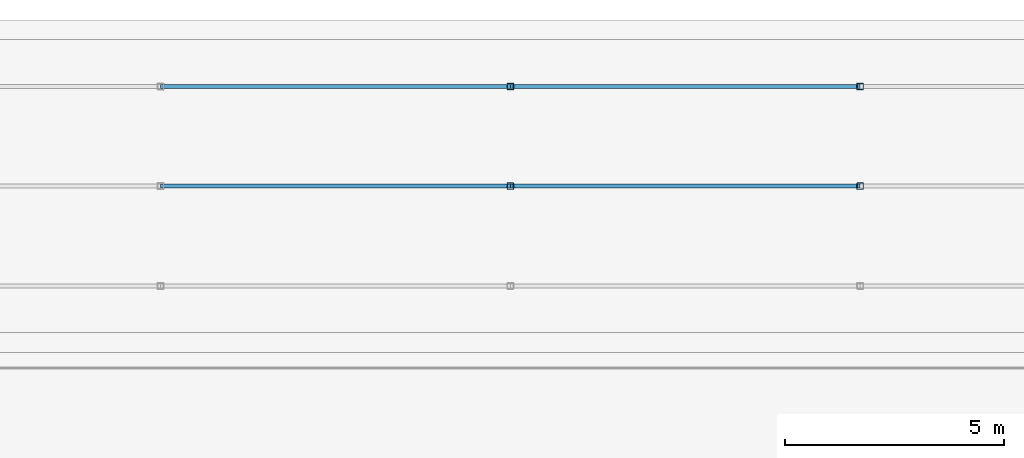
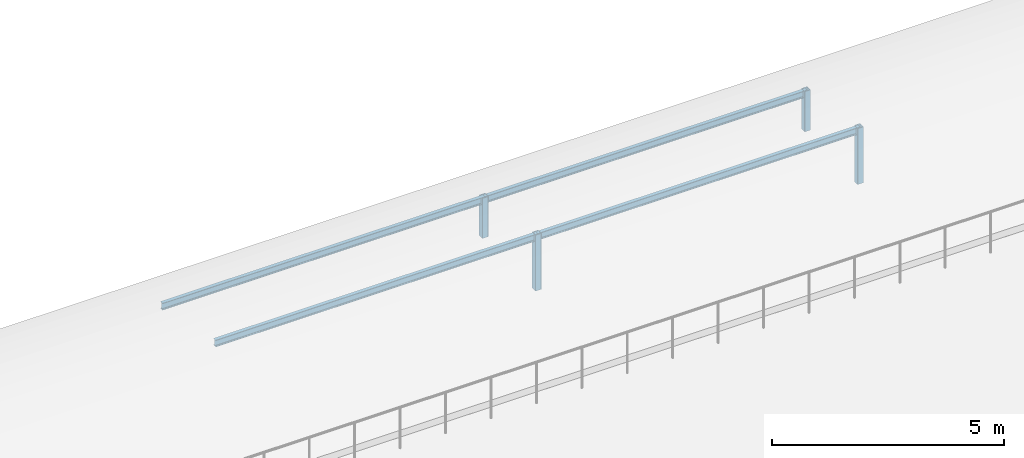
# One storey, part 23 of 46: 8 members.
"""IFC4 building model written with IfcOpenShell, lengths in metres."""

import ifcopenshell
import ifcopenshell.guid

model = None  # the IFC model being written
_history = None  # IfcOwnerHistory: only IFC2X3 demands one
_inside = {}  # id of a spatial element -> (the spatial element, [elements in it])
_under = {}  # id of a project, library or spatial element -> (it, [spatial elements below it])
_declared = {}  # id of a project -> (the project, [libraries it declares])
_typed = {}  # id of a type object -> (the type object, [elements of that type])
_made_of = {}  # id of a material, layer set ... -> (it, [elements and type objects made of it])


def new_model(schema):
    """Start an empty IFC model of exactly this schema.

    Asked for "IFC4X3", IfcOpenShell would pick the latest addendum, in which some entities
    have other attributes; the version numbers below select the first issue.
    IFC2X3 requires an IfcOwnerHistory on every rooted entity: one is made here for all.
    """
    global model, _history
    if schema == "IFC4X3":
        model = ifcopenshell.file(schema_version=(4, 3, 0, 0))
    else:
        model = ifcopenshell.file(schema=schema)
    _inside.clear()
    _under.clear()
    _declared.clear()
    _typed.clear()
    _made_of.clear()
    _history = None
    if model.schema == "IFC2X3":
        org = make("IfcOrganization", Name="unknown")
        user = make(
            "IfcPersonAndOrganization",
            ThePerson=make("IfcPerson", FamilyName="unknown"),
            TheOrganization=org,
        )
        app = make(
            "IfcApplication",
            ApplicationDeveloper=org,
            Version="unknown",
            ApplicationFullName="unknown",
            ApplicationIdentifier="unknown",
        )
        _history = make(
            "IfcOwnerHistory",
            OwningUser=user,
            OwningApplication=app,
            ChangeAction="ADDED",
            CreationDate=0,
        )
    return model


def make(cls, **values):
    """One entity of the class cls with the attributes given. An attribute that is None is left unset."""
    return model.create_entity(
        cls, **{name: value for name, value in values.items() if value is not None}
    )


def rooted(cls, **values):
    """An entity with a GlobalId (a new one), such as an element, a storey or a relation."""
    return make(cls, GlobalId=ifcopenshell.guid.new(), OwnerHistory=_history, **values)


def si_unit(unit_type, name, prefix=None):
    """IfcSIUnit, for example si_unit("LENGTHUNIT", "METRE", prefix="MILLI")."""
    return make("IfcSIUnit", UnitType=unit_type, Prefix=prefix, Name=name)


def assignment(units):
    """IfcUnitAssignment: the units of a project."""
    return None if units is None else make("IfcUnitAssignment", Units=units)


def point(xyz):
    """IfcCartesianPoint."""
    return None if xyz is None else make("IfcCartesianPoint", Coordinates=xyz)


def direction(xyz):
    """IfcDirection."""
    return None if xyz is None else make("IfcDirection", DirectionRatios=xyz)


def frame(location, z_axis=None, x_axis=None):
    """IfcAxis2Placement3D, a coordinate frame: its origin and axes. An axis left out is left unset."""
    return make(
        "IfcAxis2Placement3D",
        Location=point(location),
        Axis=direction(z_axis),
        RefDirection=direction(x_axis),
    )


def frame_2d(location, x_axis=None):
    """IfcAxis2Placement2D, a coordinate frame in the plane: its origin and x axis."""
    return make(
        "IfcAxis2Placement2D", Location=point(location), RefDirection=direction(x_axis)
    )


def origin():
    """The frame at (0, 0, 0) with its axes left unset."""
    return frame((0.0, 0.0, 0.0))


def origin_2d():
    """The frame at (0, 0) in the plane with its x axis left unset."""
    return frame_2d((0.0, 0.0))


def place(relative_to, where):
    """IfcLocalPlacement: puts the frame where relative to a parent placement (None: the world)."""
    return make(
        "IfcLocalPlacement", PlacementRelTo=relative_to, RelativePlacement=where
    )


def context(
    kind, dimensions, precision=None, world=None, true_north=None, identifier=None
):
    """IfcGeometricRepresentationContext, for example the 3D "Model" context."""
    return make(
        "IfcGeometricRepresentationContext",
        ContextIdentifier=identifier,
        ContextType=kind,
        CoordinateSpaceDimension=dimensions,
        Precision=precision,
        WorldCoordinateSystem=world,
        TrueNorth=true_north,
    )


def subcontext(parent, identifier, kind, view, scale=None):
    """IfcGeometricRepresentationSubContext, for example "Body" below "Model"."""
    return make(
        "IfcGeometricRepresentationSubContext",
        ContextIdentifier=identifier,
        ContextType=kind,
        ParentContext=parent,
        TargetScale=scale,
        TargetView=view,
    )


def project(units=None, contexts=None):
    """IfcProject with its units and contexts."""
    return rooted(
        "IfcProject",
        Name="project",
        RepresentationContexts=contexts,
        UnitsInContext=assignment(units),
    )


def spatial(cls, under=None, at=None, **own):
    """A site, building, storey or space (cls), placed at a placement, below another one or the project."""
    s = rooted(cls, ObjectPlacement=at, **own)
    if under is not None:
        _under.setdefault(under.id(), (under, []))[1].append(s)
    return s


def profile(cls, at=None, kind="AREA", **sizes):
    """A parametric profile (cls). Its sizes go by their IFC names, for example OverallWidth=200.0."""
    return make(cls, ProfileType=kind, Position=at, **sizes)


def hollow_rectangle(**sizes):
    """IfcRectangleHollowProfileDef."""
    return profile("IfcRectangleHollowProfileDef", **sizes)


def i_section(**sizes):
    """IfcIShapeProfileDef."""
    return profile("IfcIShapeProfileDef", **sizes)


def extrude(swept, where, along, depth):
    """IfcExtrudedAreaSolid: the profile swept, set in the frame where, extruded along a direction by depth."""
    return make(
        "IfcExtrudedAreaSolid",
        SweptArea=swept,
        Position=where,
        ExtrudedDirection=direction(along),
        Depth=depth,
    )


def shape(context_of_items, identifier, shape_type, items):
    """IfcShapeRepresentation: the items that make up one representation, for example the "Body"."""
    return make(
        "IfcShapeRepresentation",
        ContextOfItems=context_of_items,
        RepresentationIdentifier=identifier,
        RepresentationType=shape_type,
        Items=items,
    )


def material(Name=None, Category=None):
    """IfcMaterial."""
    return make("IfcMaterial", Name=Name, Category=Category)


def material_profile(
    of_material, cross_section, Name=None, Category=None, Priority=None
):
    """IfcMaterialProfile: a cross section and its material."""
    return make(
        "IfcMaterialProfile",
        Name=Name,
        Material=of_material,
        Profile=cross_section,
        Priority=Priority,
        Category=Category,
    )


def profile_set(profiles, Name=None, composite=None):
    """IfcMaterialProfileSet."""
    return make(
        "IfcMaterialProfileSet",
        Name=Name,
        MaterialProfiles=profiles,
        CompositeProfile=composite,
    )


def made_of(thing, what):
    """Note that an element or type object is made of a material, layer set ...; save() writes the relation."""
    if what is not None:
        _made_of.setdefault(what.id(), (what, []))[1].append(thing)
    return thing


def type_object(cls, material=None, **own):
    """A type object (cls), such as IfcWallType, which elements share."""
    return made_of(rooted(cls, **own), material)


def element(
    cls,
    number,
    at=None,
    inside=None,
    cuts=None,
    type_object=None,
    material=None,
    context=None,
    identifier="Body",
    shape_type=None,
    held_by="IfcProductDefinitionShape",
    body=None,
    shapes=None,
    **own,
):
    """One element of the class cls, such as IfcWall. Its Tag is "e" and its number.

    at: its placement. inside: the storey or other place that contains it. cuts: it is an
    opening in that element (IfcRelVoidsElement). A single representation is given by context,
    identifier, shape_type and body (its items); several are given by shapes. held_by: the class
    of the entity that holds the representations. save() writes the other relations.
    """
    e = rooted(cls, Tag="e%d" % number, ObjectPlacement=at, **own)
    if body is not None:
        shapes = [shape(context, identifier, shape_type, body)]
    if shapes is not None:
        e.Representation = make(held_by, Representations=shapes)
    if inside is not None:
        _inside.setdefault(inside.id(), (inside, []))[1].append(e)
    if cuts is not None:
        rooted(
            "IfcRelVoidsElement", RelatingBuildingElement=cuts, RelatedOpeningElement=e
        )
    if type_object is not None:
        _typed.setdefault(type_object.id(), (type_object, []))[1].append(e)
    return made_of(e, material)


def aggregate(whole, parts):
    """IfcRelAggregates: a whole, such as a stair, and the parts it consists of."""
    return rooted("IfcRelAggregates", RelatingObject=whole, RelatedObjects=parts)


def save(model, path):
    """Write the relations noted so far, then the file.

    IfcRelAggregates (storeys below a building ...), IfcRelContainedInSpatialStructure (elements
    in a storey), IfcRelDefinesByType, IfcRelAssociatesMaterial and IfcRelDeclares: one each for
    every whole, place, type object, material and project.
    """
    for whole, parts in _under.values():
        aggregate(whole, parts)
    for where, things in _inside.values():
        rooted(
            "IfcRelContainedInSpatialStructure",
            RelatedElements=things,
            RelatingStructure=where,
        )
    for kind, things in _typed.values():
        rooted("IfcRelDefinesByType", RelatedObjects=things, RelatingType=kind)
    for what, things in _made_of.values():
        rooted("IfcRelAssociatesMaterial", RelatedObjects=things, RelatingMaterial=what)
    for by, libraries in _declared.values():
        rooted("IfcRelDeclares", RelatingContext=by, RelatedDefinitions=libraries)
    model.write(path)


model = new_model("IFC4")

# Units and contexts
model_context = context("Model", 3, precision=1e-05, world=origin(), true_north=direction((0.0, 1.0)))
body_context = subcontext(model_context, "Body", "Model", "MODEL_VIEW")
ifc_project = project(units=[si_unit("LENGTHUNIT", "METRE"), si_unit("AREAUNIT", "SQUARE_METRE"), si_unit("VOLUMEUNIT", "CUBIC_METRE"), si_unit("PLANEANGLEUNIT", "RADIAN"), si_unit("MASSUNIT", "GRAM", prefix="KILO")], contexts=[model_context])

# Site, building, storey
site_placement = place(None, origin())
site = spatial("IfcSite", under=ifc_project, at=site_placement, CompositionType="ELEMENT")
building_placement = place(site_placement, origin())
building = spatial("IfcBuilding", under=site, at=building_placement, Name="Shalkamar Park Central Library", CompositionType="ELEMENT")
storey_placement = place(building_placement, frame((0.0, 0.0, 20.39990234375)))
storey = spatial("IfcBuildingStorey", under=building, at=storey_placement, Name="L05", CompositionType="ELEMENT", Elevation=20.39990234375)

# Members
ifc_material = material(Name="Steel S355", Category="steel")
ifc_material_profile_1 = material_profile(ifc_material, hollow_rectangle(XDim=0.14990234375, YDim=0.14990234375, WallThickness=0.008056640625, InnerFilletRadius=0.008056640625, OuterFilletRadius=0.011962890625, at=origin_2d()), Name="SHS 150x150x8")
ifc_profile_set_1 = profile_set([ifc_material_profile_1], Name="Steel S355")
member_type_1 = type_object("IfcMemberType", Name="Diagonal Brace SHS150", PredefinedType="BRACE", material=ifc_profile_set_1)
member_1_placement = place(storey_placement, frame((205.0, 312.199951171875, -0.35986328125), z_axis=(0.0, 0.0, 1.0), x_axis=(1.0, 0.0, 0.0)))
element("IfcMember", 1, at=member_1_placement, inside=storey, type_object=member_type_1, Name="Vault Arch Post BV-L04-NN-12.2", PredefinedType="BRACE", context=body_context, shape_type="SweptSolid", body=[
    extrude(hollow_rectangle(XDim=0.14990234375, YDim=0.14990234375, WallThickness=0.008056640625, InnerFilletRadius=0.008056640625, OuterFilletRadius=0.011962890625, at=origin_2d()), origin(), (0.0, 0.0, 1.0), 1.469970703125),
])
member_2_placement = place(storey_placement, frame((205.0, 314.47998046875, -0.35986328125), z_axis=(0.0, 0.0, 1.0), x_axis=(1.0, 0.0, 0.0)))
element("IfcMember", 2, at=member_2_placement, inside=storey, type_object=member_type_1, Name="Vault Arch Post BV-L04-NN-12.3", PredefinedType="BRACE", context=body_context, shape_type="SweptSolid", body=[
    extrude(hollow_rectangle(XDim=0.14990234375, YDim=0.14990234375, WallThickness=0.008056640625, InnerFilletRadius=0.008056640625, OuterFilletRadius=0.011962890625, at=origin_2d()), origin(), (0.0, 0.0, 1.0), 1.055908203125),
])
member_3_placement = place(storey_placement, frame((213.0, 312.199951171875, -0.35986328125), z_axis=(0.0, 0.0, 1.0), x_axis=(1.0, 0.0, 0.0)))
element("IfcMember", 3, at=member_3_placement, inside=storey, type_object=member_type_1, Name="Vault Arch Post BV-L04-NN-13.2", PredefinedType="BRACE", context=body_context, shape_type="SweptSolid", body=[
    extrude(hollow_rectangle(XDim=0.14990234375, YDim=0.14990234375, WallThickness=0.008056640625, InnerFilletRadius=0.008056640625, OuterFilletRadius=0.011962890625, at=origin_2d()), origin(), (0.0, 0.0, 1.0), 1.469970703125),
])
member_4_placement = place(storey_placement, frame((213.0, 314.47998046875, -0.35986328125), z_axis=(0.0, 0.0, 1.0), x_axis=(1.0, 0.0, 0.0)))
element("IfcMember", 4, at=member_4_placement, inside=storey, type_object=member_type_1, Name="Vault Arch Post BV-L04-NN-13.3", PredefinedType="BRACE", context=body_context, shape_type="SweptSolid", body=[
    extrude(hollow_rectangle(XDim=0.14990234375, YDim=0.14990234375, WallThickness=0.008056640625, InnerFilletRadius=0.008056640625, OuterFilletRadius=0.011962890625, at=origin_2d()), origin(), (0.0, 0.0, 1.0), 1.055908203125),
])
ifc_material_profile_2 = material_profile(ifc_material, i_section(OverallWidth=0.091064453125, OverallDepth=0.179931640625, WebThickness=0.00537109375, FlangeThickness=0.008056640625, FilletRadius=0.009033203125, at=origin_2d()), Name="IPE 180")
ifc_profile_set_2 = profile_set([ifc_material_profile_2], Name="Steel S355")
member_type_2 = type_object("IfcMemberType", Name="Roof Purlin IPE180", PredefinedType="PURLIN", material=ifc_profile_set_2)
for number, where, z_axis, x_axis, name in (
    (5, (197.0, 312.199951171875, 1.02001953125), (1.0, 0.0, 0.0), (0.0, 1.0, 0.0), "Barrel Roof Purlin BV-L04-NN-2.11"),
    (6, (205.0, 312.199951171875, 1.02001953125), (1.0, 0.0, 0.0), (0.0, 1.0, 0.0), "Barrel Roof Purlin BV-L04-NN-2.12"),
    (7, (197.0, 314.47998046875, 0.606201171875), (1.0, 0.0, 0.0), (0.0, 1.0, 0.0), "Barrel Roof Purlin BV-L04-NN-3.11"),
    (8, (205.0, 314.47998046875, 0.606201171875), (1.0, 0.0, 0.0), (0.0, 1.0, 0.0), "Barrel Roof Purlin BV-L04-NN-3.12"),
):
    element("IfcMember", number, at=place(storey_placement, frame(where, z_axis=z_axis, x_axis=x_axis)), inside=storey, type_object=member_type_2, Name=name, PredefinedType="PURLIN", context=body_context, shape_type="SweptSolid", body=[
        extrude(i_section(OverallWidth=0.091064453125, OverallDepth=0.179931640625, WebThickness=0.00537109375, FlangeThickness=0.008056640625, FilletRadius=0.009033203125, at=origin_2d()), origin(), (0.0, 0.0, 1.0), 8.0),
    ])

save(model, "model.ifc")
